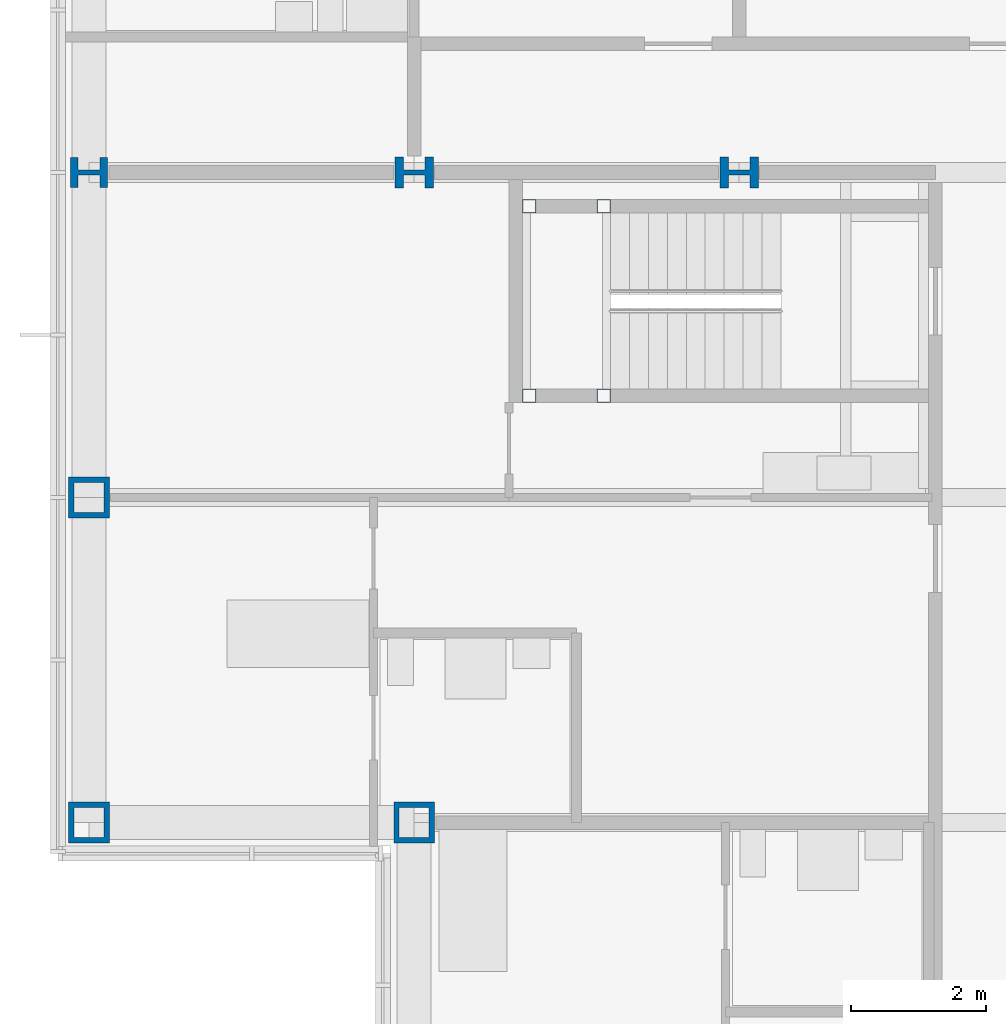
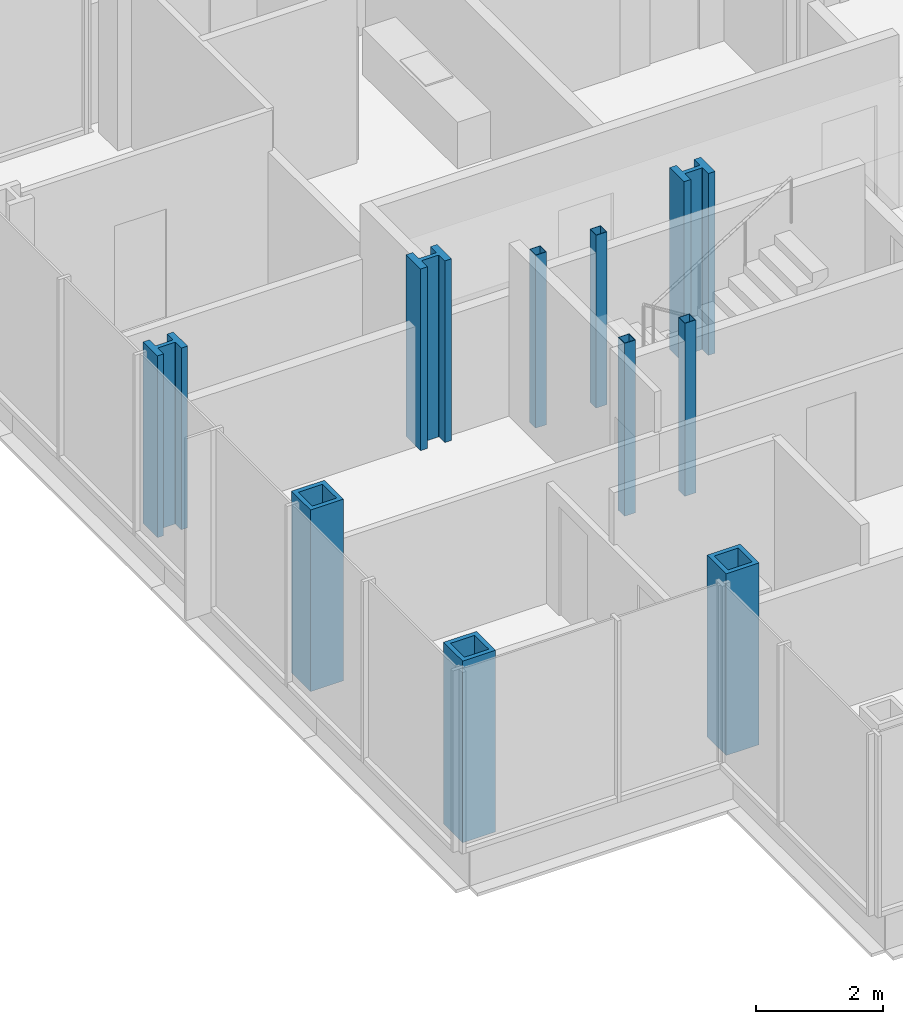
# One storey, part 3 of 20: 10 columns.
"""IFC4 building model written with IfcOpenShell, lengths in metres."""

from ifc_helpers import new_model, si_unit, direction, frame, origin, origin_2d, place, context, subcontext, project, spatial, hollow_rectangle, i_section, extrude, material, material_profile, profile_set, type_object, element, save


model = new_model("IFC4")

# Units and contexts
model_context = context("Model", 3, precision=1e-05, world=origin(), true_north=direction((0.0, 1.0)))
body_context = subcontext(model_context, "Body", "Model", "MODEL_VIEW")
ifc_project = project(units=[si_unit("LENGTHUNIT", "METRE"), si_unit("AREAUNIT", "SQUARE_METRE"), si_unit("VOLUMEUNIT", "CUBIC_METRE"), si_unit("PLANEANGLEUNIT", "RADIAN"), si_unit("MASSUNIT", "GRAM", prefix="KILO")], contexts=[model_context])

# Site, building, storey
site_placement = place(None, origin())
site = spatial("IfcSite", under=ifc_project, at=site_placement, CompositionType="ELEMENT")
building_placement = place(site_placement, origin())
building = spatial("IfcBuilding", under=site, at=building_placement, Name="Kvirike Care Tower", CompositionType="ELEMENT")
storey_placement = place(building_placement, frame((0.0, 0.0, 115.5)))
storey = spatial("IfcBuildingStorey", under=building, at=storey_placement, Name="L31", CompositionType="ELEMENT", Elevation=115.5)

# Columns
ifc_material_1 = material(Name="Steel S460", Category="steel")
ifc_material_profile_1 = material_profile(ifc_material_1, hollow_rectangle(XDim=0.60009765625, YDim=0.60009765625, WallThickness=0.080078125, at=origin_2d()), Name="BX 600x600x80")
ifc_profile_set_1 = profile_set([ifc_material_profile_1], Name="Steel S460")
column_type_1 = type_object("IfcColumnType", Name="COLUMN BX 600x600x80", PredefinedType="COLUMN", material=ifc_profile_set_1)
for number, where, z_axis, x_axis, name in (
    (1, (0.0, 33.60009765625, 0.0), (0.0, 0.0, 1.0), (0.0, 1.0, 0.0), "Column H3 L31"),
    (2, (0.0, 38.39990234375, 0.0), (0.0, 0.0, 1.0), (1.0, 0.0, 0.0), "Column J3 L31"),
    (3, (4.800048828125, 33.60009765625, 0.0), (0.0, 0.0, 1.0), (0.0, 1.0, 0.0), "Column H4 L31"),
):
    element("IfcColumn", number, at=place(storey_placement, frame(where, z_axis=z_axis, x_axis=x_axis)), inside=storey, type_object=column_type_1, Name=name, PredefinedType="COLUMN", context=body_context, shape_type="SweptSolid", body=[
        extrude(hollow_rectangle(XDim=0.60009765625, YDim=0.60009765625, WallThickness=0.080078125, at=origin_2d()), origin(), (0.0, 0.0, 1.0), 3.5),
    ])
ifc_material_2 = material(Name="Steel S460", Category="steel")
ifc_material_profile_2 = material_profile(ifc_material_2, i_section(OverallWidth=0.4541015625, OverallDepth=0.569091796875, WebThickness=0.077880859375, FlangeThickness=0.125, FilletRadius=0.014892578125, at=origin_2d()), Name="HD 400x1086")
ifc_profile_set_2 = profile_set([ifc_material_profile_2], Name="Steel S460")
column_type_2 = type_object("IfcColumnType", Name="COLUMN HD 400x1086", PredefinedType="COLUMN", material=ifc_profile_set_2)
for number, where, z_axis, x_axis, name in (
    (4, (4.800048828125, 43.199951171875, 0.0), (0.0, 0.0, 1.0), (0.0, 1.0, 0.0), "Column K4 L31"),
    (5, (9.60009765625, 43.199951171875, 0.0), (0.0, 0.0, 1.0), (0.0, 1.0, 0.0), "Column K5 L31"),
):
    element("IfcColumn", number, at=place(storey_placement, frame(where, z_axis=z_axis, x_axis=x_axis)), inside=storey, type_object=column_type_2, Name=name, PredefinedType="COLUMN", context=body_context, shape_type="SweptSolid", body=[
        extrude(i_section(OverallWidth=0.4541015625, OverallDepth=0.569091796875, WebThickness=0.077880859375, FlangeThickness=0.125, FilletRadius=0.014892578125, at=origin_2d()), origin(), (0.0, 0.0, 1.0), 3.5),
    ])
ifc_material_3 = material(Name="Steel S460", Category="steel")
ifc_material_profile_3 = material_profile(ifc_material_3, i_section(OverallWidth=0.447998046875, OverallDepth=0.550048828125, WebThickness=0.072021484375, FlangeThickness=0.114990234375, FilletRadius=0.014892578125, at=origin_2d()), Name="HD 400x990")
ifc_profile_set_3 = profile_set([ifc_material_profile_3], Name="Steel S460")
column_type_3 = type_object("IfcColumnType", Name="COLUMN HD 400x990", PredefinedType="COLUMN", material=ifc_profile_set_3)
column_placement = place(storey_placement, frame((0.0, 43.199951171875, 0.0), z_axis=(0.0, 0.0, 1.0), x_axis=(0.0, 1.0, 0.0)))
element("IfcColumn", 6, at=column_placement, inside=storey, type_object=column_type_3, Name="Column K3 L31", PredefinedType="COLUMN", context=body_context, shape_type="SweptSolid", body=[
    extrude(i_section(OverallWidth=0.447998046875, OverallDepth=0.550048828125, WebThickness=0.072021484375, FlangeThickness=0.114990234375, FilletRadius=0.014892578125, at=origin_2d()), origin(), (0.0, 0.0, 1.0), 3.5),
])
ifc_material_4 = material(Name="Steel S460", Category="steel")
ifc_material_profile_4 = material_profile(ifc_material_4, hollow_rectangle(XDim=0.199951171875, YDim=0.199951171875, WallThickness=0.008056640625, at=origin_2d()), Name="SHS 200x200x8")
ifc_profile_set_4 = profile_set([ifc_material_profile_4], Name="Steel S460")
column_type_4 = type_object("IfcColumnType", Name="STAIR POST SHS 200x200x8", PredefinedType="COLUMN", material=ifc_profile_set_4)
for number, where, z_axis, x_axis, name in (
    (7, (6.5, 42.699951171875, 0.0), (0.0, 0.0, 1.0), (1.0, 0.0, 0.0), "Stair 1 post 1 L31"),
    (8, (6.5, 39.89990234375, 0.0), (0.0, 0.0, 1.0), (1.0, 0.0, 0.0), "Stair 1 post 2 L31"),
    (9, (7.60009765625, 42.699951171875, 0.0), (0.0, 0.0, 1.0), (1.0, 0.0, 0.0), "Stair 1 post 3 L31"),
    (10, (7.60009765625, 39.89990234375, 0.0), (0.0, 0.0, 1.0), (1.0, 0.0, 0.0), "Stair 1 post 4 L31"),
):
    element("IfcColumn", number, at=place(storey_placement, frame(where, z_axis=z_axis, x_axis=x_axis)), inside=storey, type_object=column_type_4, Name=name, PredefinedType="COLUMN", context=body_context, shape_type="SweptSolid", body=[
        extrude(hollow_rectangle(XDim=0.199951171875, YDim=0.199951171875, WallThickness=0.008056640625, at=origin_2d()), origin(), (0.0, 0.0, 1.0), 3.330078125),
    ])

save(model, "model.ifc")
